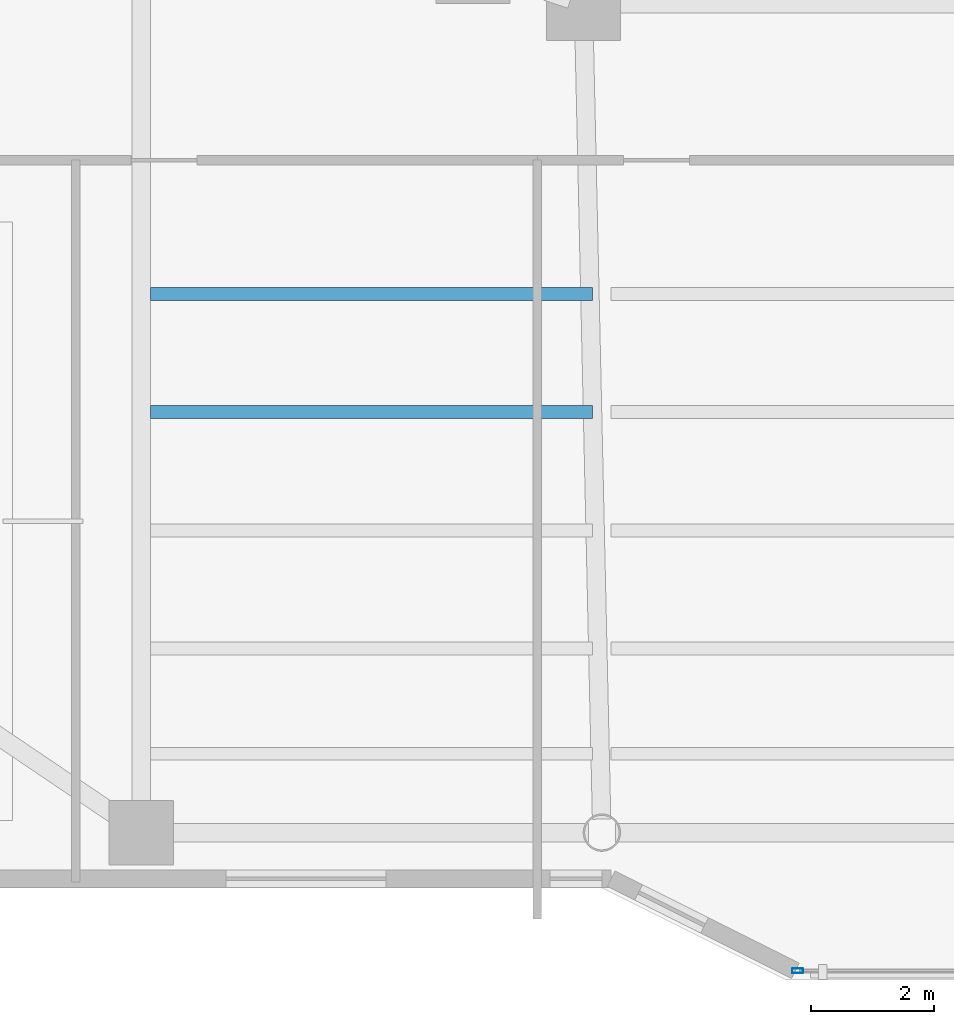
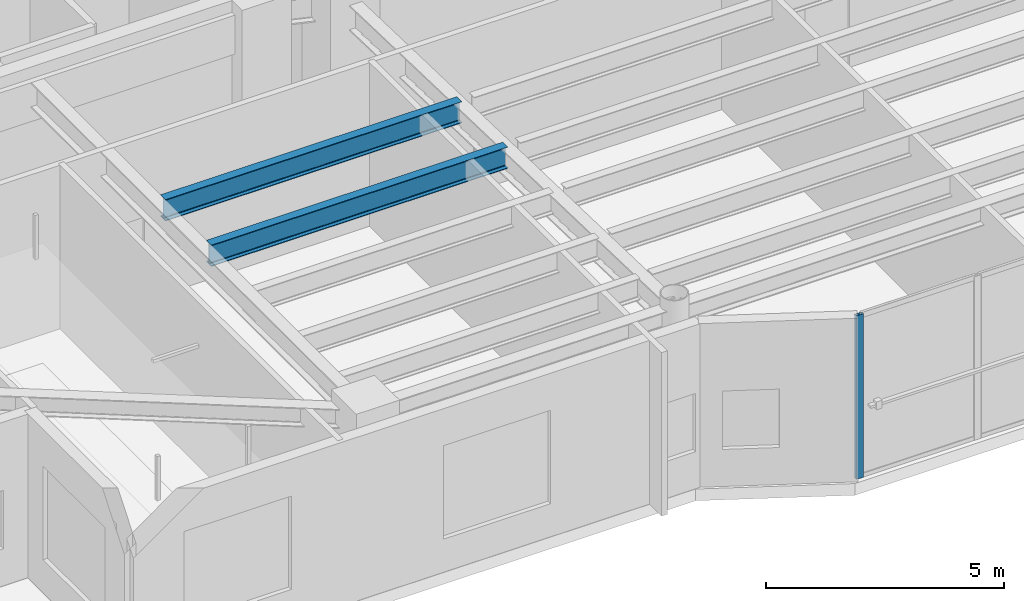
# One storey, part 4 of 38: 2 beams, 1 member, 1 element without a shape of its own.
"""IFC4 building model written with IfcOpenShell, lengths in metres."""

from ifc_helpers import new_model, si_unit, direction, frame, origin, origin_2d, place, context, subcontext, project, spatial, hollow_rectangle, i_section, extrude, material, layer, layer_set, material_profile, profile_set, type_object, element, aggregate, save


model = new_model("IFC4")

# Units and contexts
model_context = context("Model", 3, precision=1e-05, world=origin(), true_north=direction((0.0, 1.0)))
body_context = subcontext(model_context, "Body", "Model", "MODEL_VIEW")
ifc_project = project(units=[si_unit("LENGTHUNIT", "METRE"), si_unit("AREAUNIT", "SQUARE_METRE"), si_unit("VOLUMEUNIT", "CUBIC_METRE"), si_unit("PLANEANGLEUNIT", "RADIAN"), si_unit("MASSUNIT", "GRAM", prefix="KILO")], contexts=[model_context])

# Site, building, storey
site_placement = place(None, origin())
site = spatial("IfcSite", under=ifc_project, at=site_placement, CompositionType="ELEMENT")
building_placement = place(site_placement, origin())
building = spatial("IfcBuilding", under=site, at=building_placement, Name="Tarnavaz Court Tower", CompositionType="ELEMENT")
storey_placement = place(building_placement, frame((0.0, 0.0, 123.0)))
storey = spatial("IfcBuildingStorey", under=building, at=storey_placement, Name="L33", CompositionType="ELEMENT", Elevation=123.0)

# Beams
ifc_material_1 = material(Name="Steel S355", Category="steel")
ifc_material_profile_1 = material_profile(ifc_material_1, i_section(OverallWidth=0.2099609375, OverallDepth=0.550048828125, WebThickness=0.010986328125, FlangeThickness=0.01708984375, FilletRadius=0.02392578125, at=origin_2d()), Name="IPE 550")
ifc_profile_set_1 = profile_set([ifc_material_profile_1], Name="Steel S355")
beam_type = type_object("IfcBeamType", Name="BM-J-IPE550", PredefinedType="JOIST", material=ifc_profile_set_1)
for number, where, z_axis, x_axis, name in (
    (1, (-14.85009765625, -12.52587890625, 3.925048828125), (1.0, 0.0, 0.0), (0.0, 1.0, 0.0), "L33 Beam JS1-1"),
    (2, (-14.85009765625, -14.451904296875, 3.925048828125), (1.0, 0.0, 0.0), (0.0, 1.0, 0.0), "L33 Beam JS2-1"),
):
    element("IfcBeam", number, at=place(storey_placement, frame(where, z_axis=z_axis, x_axis=x_axis)), inside=storey, type_object=beam_type, Name=name, PredefinedType="JOIST", context=body_context, shape_type="SweptSolid", body=[
        extrude(i_section(OverallWidth=0.2099609375, OverallDepth=0.550048828125, WebThickness=0.010986328125, FlangeThickness=0.01708984375, FilletRadius=0.02392578125, at=origin_2d()), origin(), (0.0, 0.0, 1.0), 7.2001953125),
    ])

# Curtain wall, member
ifc_material_2 = material(Name="Anodised Aluminium 6063-T6 and Solar Low-E Glazing", Category="aluminium")
ifc_layer = layer(ifc_material_2, 0.179931640625)
ifc_layer_set = layer_set([ifc_layer], Name="Anodised Aluminium 6063-T6 and Solar Low-E Glazing")
curtain_wall_type = type_object("IfcCurtainWallType", Name="CW-SYS-02", PredefinedType="NOTDEFINED", material=ifc_layer_set)
curtain_wall_placement = place(storey_placement, origin())
curtain_wall = element("IfcCurtainWall", 3, at=curtain_wall_placement, inside=storey, type_object=curtain_wall_type, Name="L33 Iwan Prow Curtain Wall 17", PredefinedType="NOTDEFINED")
ifc_material_3 = material(Name="Anodised Aluminium 6063-T6", Category="aluminium")
ifc_material_profile_2 = material_profile(ifc_material_3, hollow_rectangle(XDim=0.074951171875, YDim=0.179931640625, WallThickness=0.0048828125, InnerFilletRadius=0.0048828125, OuterFilletRadius=0.010009765625, at=origin_2d()), Name="ALU RHS 180X75X5")
ifc_profile_set_2 = profile_set([ifc_material_profile_2], Name="Anodised Aluminium 6063-T6")
member_type = type_object("IfcMemberType", Name="CW-MUL-180", PredefinedType="MULLION", material=ifc_profile_set_2)
member_placement = place(storey_placement, frame((-4.3125, -23.550048828125, 0.0), z_axis=(0.0, 0.0, 1.0), x_axis=(0.0, -1.0, 0.0)))
member = element("IfcMember", 4, at=member_placement, type_object=member_type, Name="CW mullion 4", PredefinedType="MULLION", context=body_context, shape_type="SweptSolid", body=[
    extrude(hollow_rectangle(XDim=0.074951171875, YDim=0.179931640625, WallThickness=0.0048828125, InnerFilletRadius=0.0048828125, OuterFilletRadius=0.010009765625, at=origin_2d()), origin(), (0.0, 0.0, 1.0), 4.199951171875),
])
aggregate(curtain_wall, [member])

save(model, "model.ifc")
